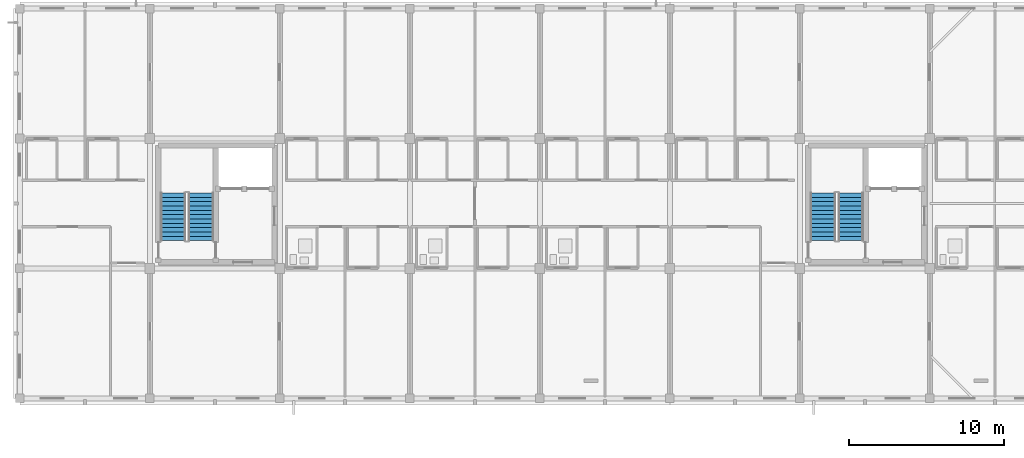
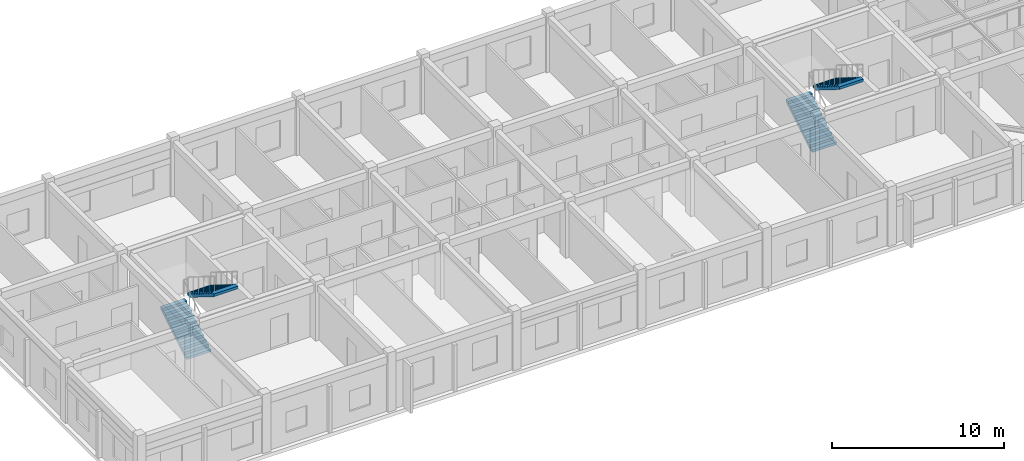
# One storey, part 13 of 21: 4 stair flights, 2 elements without a shape of their own.
"""IFC4 building model written with IfcOpenShell, lengths in metres."""

from ifc_helpers import new_model, si_unit, direction, frame, origin, place, context, subcontext, project, spatial, polyline, outline, extrude, material, type_object, element, aggregate, save


model = new_model("IFC4")

# Units and contexts
model_context = context("Model", 3, precision=1e-05, world=origin(), true_north=direction((0.0, 1.0)))
body_context = subcontext(model_context, "Body", "Model", "MODEL_VIEW")
ifc_project = project(units=[si_unit("LENGTHUNIT", "METRE"), si_unit("AREAUNIT", "SQUARE_METRE"), si_unit("VOLUMEUNIT", "CUBIC_METRE"), si_unit("PLANEANGLEUNIT", "RADIAN"), si_unit("MASSUNIT", "GRAM", prefix="KILO")], contexts=[model_context])

# Site, building, storey
site_placement = place(None, origin())
site = spatial("IfcSite", under=ifc_project, at=site_placement, CompositionType="ELEMENT")
building_placement = place(site_placement, origin())
building = spatial("IfcBuilding", under=site, at=building_placement, Name="Trelvath General Hospital", CompositionType="ELEMENT")
storey_placement = place(building_placement, frame((0.0, 0.0, 28.800048828125)))
storey = spatial("IfcBuildingStorey", under=building, at=storey_placement, Name="L07", CompositionType="ELEMENT", Elevation=28.800048828125)

# Stair, stair flights
ifc_material_1 = material(Name="Concrete C35/45", Category="concrete")
stair_type = type_object("IfcStairType", Name="Stair Stretcher420", PredefinedType="TWO_STRAIGHT_RUN_STAIR", material=ifc_material_1)
stair_1_placement = place(storey_placement, origin())
stair_1 = element("IfcStair", 1, at=stair_1_placement, inside=storey, type_object=stair_type, Name="Exit Stair ST1 L07", PredefinedType="TWO_STRAIGHT_RUN_STAIR")
ifc_material_2 = material(Name="Concrete C35/45", Category="concrete")
stair_flight_type = type_object("IfcStairFlightType", Name="Flight Stretcher420", PredefinedType="STRAIGHT", material=ifc_material_2)
stair_flight_1_placement = place(storey_placement, frame((43.5, 102.60009765625, 0.0), z_axis=(0.0, 0.0, 1.0), x_axis=(0.0, 1.0, 0.0)))
stair_flight_1 = element("IfcStairFlight", 2, at=stair_flight_1_placement, type_object=stair_flight_type, Name="ST1-L07 flight 1", NumberOfRisers=12, NumberOfTreads=11, PredefinedType="STRAIGHT", RiserHeight=0.175, TreadLength=0.28, context=body_context, shape_type="SweptSolid", body=[
    extrude(outline(polyline([(0.0, 0.0), (0.0, 0.175048828125), (0.280029296875, 0.175048828125), (0.280029296875, 0.35009765625), (0.56005859375, 0.35009765625), (0.56005859375, 0.52490234375), (0.840087890625, 0.52490234375), (0.840087890625, 0.699951171875), (1.1201171875, 0.699951171875), (1.1201171875, 0.875), (1.39990234375, 0.875), (1.39990234375, 1.050048828125), (1.679931640625, 1.050048828125), (1.679931640625, 1.22509765625), (1.9599609375, 1.22509765625), (1.9599609375, 1.39990234375), (2.239990234375, 1.39990234375), (2.239990234375, 1.574951171875), (2.52001953125, 1.574951171875), (2.52001953125, 1.75), (2.800048828125, 1.75), (2.800048828125, 1.925048828125), (3.080078125, 1.925048828125), (3.080078125, 2.10009765625), (3.080078125, 1.736328125), (0.3017578125, 0.0), (0.0, 0.0)])), frame((0.0, 0.81005859375, 0.0), z_axis=(0.0, -1.0, 0.0), x_axis=(1.0, 0.0, 0.0)), (0.0, 0.0, 1.0), 1.6201171875),
])
stair_flight_2_placement = place(storey_placement, frame((45.300048828125, 105.679931640625, 2.099853515625), z_axis=(0.0, 0.0, 1.0), x_axis=(0.0, -1.0, 0.0)))
stair_flight_2 = element("IfcStairFlight", 3, at=stair_flight_2_placement, type_object=stair_flight_type, Name="ST1-L07 flight 2", NumberOfRisers=12, NumberOfTreads=11, PredefinedType="STRAIGHT", RiserHeight=0.175, TreadLength=0.28, context=body_context, shape_type="SweptSolid", body=[
    extrude(outline(polyline([(0.0, 0.0), (0.0, 0.175048828125), (0.280029296875, 0.175048828125), (0.280029296875, 0.35009765625), (0.56005859375, 0.35009765625), (0.56005859375, 0.52490234375), (0.840087890625, 0.52490234375), (0.840087890625, 0.699951171875), (1.1201171875, 0.699951171875), (1.1201171875, 0.875), (1.39990234375, 0.875), (1.39990234375, 1.050048828125), (1.679931640625, 1.050048828125), (1.679931640625, 1.22509765625), (1.9599609375, 1.22509765625), (1.9599609375, 1.39990234375), (2.239990234375, 1.39990234375), (2.239990234375, 1.574951171875), (2.52001953125, 1.574951171875), (2.52001953125, 1.75), (2.800048828125, 1.75), (2.800048828125, 1.925048828125), (3.080078125, 1.925048828125), (3.080078125, 2.10009765625), (3.080078125, 1.736328125), (0.3017578125, 0.0), (0.0, 0.0)])), frame((0.0, 0.81005859375, 0.0), z_axis=(0.0, -1.0, 0.0), x_axis=(1.0, 0.0, 0.0)), (0.0, 0.0, 1.0), 1.6201171875),
])
aggregate(stair_1, [stair_flight_1, stair_flight_2])

stair_2_placement = place(storey_placement, origin())
stair_2 = element("IfcStair", 4, at=stair_2_placement, inside=storey, type_object=stair_type, Name="Exit Stair ST2 L07", PredefinedType="TWO_STRAIGHT_RUN_STAIR")
stair_flight_3_placement = place(storey_placement, frame((85.5, 102.60009765625, 0.0), z_axis=(0.0, 0.0, 1.0), x_axis=(0.0, 1.0, 0.0)))
stair_flight_3 = element("IfcStairFlight", 5, at=stair_flight_3_placement, type_object=stair_flight_type, Name="ST2-L07 flight 1", NumberOfRisers=12, NumberOfTreads=11, PredefinedType="STRAIGHT", RiserHeight=0.175, TreadLength=0.28, context=body_context, shape_type="SweptSolid", body=[
    extrude(outline(polyline([(0.0, 0.0), (0.0, 0.175048828125), (0.280029296875, 0.175048828125), (0.280029296875, 0.35009765625), (0.56005859375, 0.35009765625), (0.56005859375, 0.52490234375), (0.840087890625, 0.52490234375), (0.840087890625, 0.699951171875), (1.1201171875, 0.699951171875), (1.1201171875, 0.875), (1.39990234375, 0.875), (1.39990234375, 1.050048828125), (1.679931640625, 1.050048828125), (1.679931640625, 1.22509765625), (1.9599609375, 1.22509765625), (1.9599609375, 1.39990234375), (2.239990234375, 1.39990234375), (2.239990234375, 1.574951171875), (2.52001953125, 1.574951171875), (2.52001953125, 1.75), (2.800048828125, 1.75), (2.800048828125, 1.925048828125), (3.080078125, 1.925048828125), (3.080078125, 2.10009765625), (3.080078125, 1.736328125), (0.3017578125, 0.0), (0.0, 0.0)])), frame((0.0, 0.81005859375, 0.0), z_axis=(0.0, -1.0, 0.0), x_axis=(1.0, 0.0, 0.0)), (0.0, 0.0, 1.0), 1.6201171875),
])
stair_flight_4_placement = place(storey_placement, frame((87.300048828125, 105.679931640625, 2.099853515625), z_axis=(0.0, 0.0, 1.0), x_axis=(0.0, -1.0, 0.0)))
stair_flight_4 = element("IfcStairFlight", 6, at=stair_flight_4_placement, type_object=stair_flight_type, Name="ST2-L07 flight 2", NumberOfRisers=12, NumberOfTreads=11, PredefinedType="STRAIGHT", RiserHeight=0.175, TreadLength=0.28, context=body_context, shape_type="SweptSolid", body=[
    extrude(outline(polyline([(0.0, 0.0), (0.0, 0.175048828125), (0.280029296875, 0.175048828125), (0.280029296875, 0.35009765625), (0.56005859375, 0.35009765625), (0.56005859375, 0.52490234375), (0.840087890625, 0.52490234375), (0.840087890625, 0.699951171875), (1.1201171875, 0.699951171875), (1.1201171875, 0.875), (1.39990234375, 0.875), (1.39990234375, 1.050048828125), (1.679931640625, 1.050048828125), (1.679931640625, 1.22509765625), (1.9599609375, 1.22509765625), (1.9599609375, 1.39990234375), (2.239990234375, 1.39990234375), (2.239990234375, 1.574951171875), (2.52001953125, 1.574951171875), (2.52001953125, 1.75), (2.800048828125, 1.75), (2.800048828125, 1.925048828125), (3.080078125, 1.925048828125), (3.080078125, 2.10009765625), (3.080078125, 1.736328125), (0.3017578125, 0.0), (0.0, 0.0)])), frame((0.0, 0.81005859375, 0.0), z_axis=(0.0, -1.0, 0.0), x_axis=(1.0, 0.0, 0.0)), (0.0, 0.0, 1.0), 1.6201171875),
])
aggregate(stair_2, [stair_flight_3, stair_flight_4])

save(model, "model.ifc")
